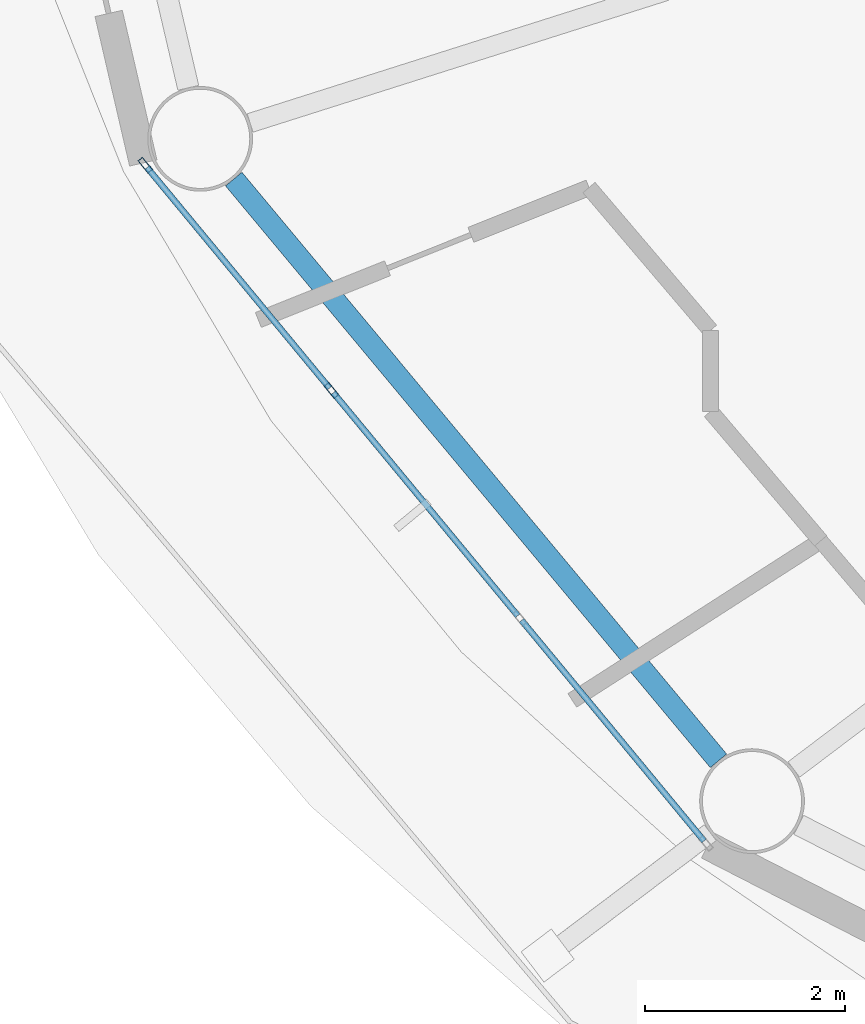
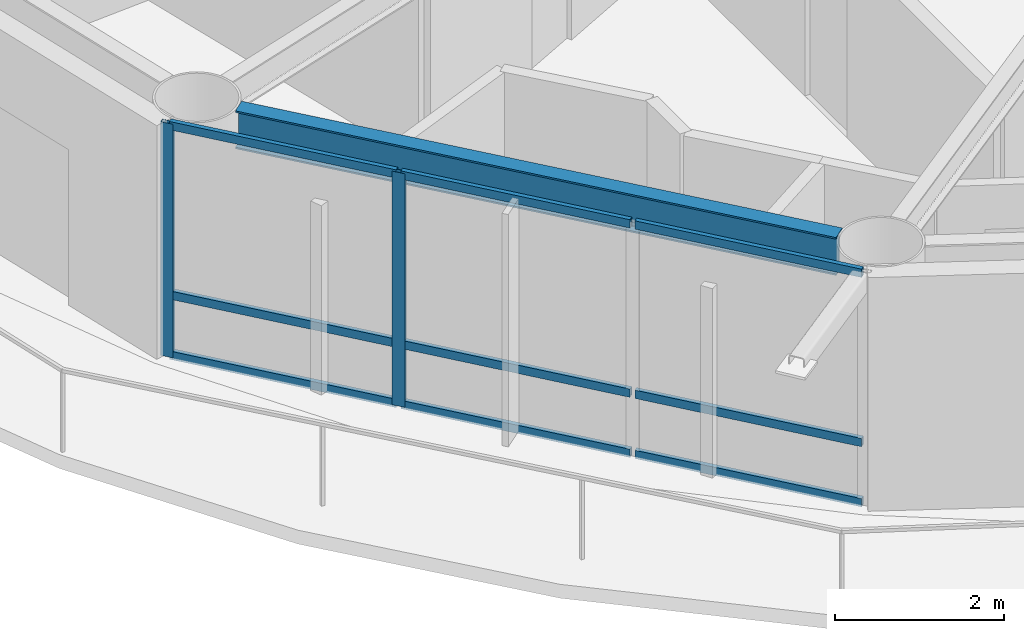
# One storey, part 3 of 30: 11 members, 1 beam, 1 element without a shape of its own.
"""IFC4 building model written with IfcOpenShell, lengths in metres."""

from ifc_helpers import new_model, si_unit, direction, frame, origin, origin_2d, place, context, subcontext, project, spatial, hollow_rectangle, i_section, extrude, material, layer, layer_set, material_profile, profile_set, type_object, element, aggregate, save


model = new_model("IFC4")

# Units and contexts
model_context = context("Model", 3, precision=1e-05, world=origin(), true_north=direction((0.0, 1.0)))
body_context = subcontext(model_context, "Body", "Model", "MODEL_VIEW")
ifc_project = project(units=[si_unit("LENGTHUNIT", "METRE"), si_unit("AREAUNIT", "SQUARE_METRE"), si_unit("VOLUMEUNIT", "CUBIC_METRE"), si_unit("PLANEANGLEUNIT", "RADIAN"), si_unit("MASSUNIT", "GRAM", prefix="KILO")], contexts=[model_context])

# Site, building, storey
site_placement = place(None, origin())
site = spatial("IfcSite", under=ifc_project, at=site_placement, CompositionType="ELEMENT")
building_placement = place(site_placement, origin())
building = spatial("IfcBuilding", under=site, at=building_placement, Name="Sarneth Arch Tower", CompositionType="ELEMENT")
storey_placement = place(building_placement, frame((0.0, 0.0, 168.60009765625)))
storey = spatial("IfcBuildingStorey", under=building, at=storey_placement, Name="L42", CompositionType="ELEMENT", Elevation=168.60009765625)

# Beam
ifc_material_1 = material(Name="Steel S355", Category="steel")
ifc_material_profile_1 = material_profile(ifc_material_1, i_section(OverallWidth=0.214111328125, OverallDepth=0.549072265625, WebThickness=0.0146484375, FlangeThickness=0.023681640625, FilletRadius=0.01806640625, at=origin_2d()), Name="W530x138")
ifc_profile_set_1 = profile_set([ifc_material_profile_1], Name="Steel S355")
beam_type = type_object("IfcBeamType", Name="BM-RAD-530A", PredefinedType="BEAM", material=ifc_profile_set_1)
beam_placement = place(storey_placement, frame((23.673828125, 33.770751953125, 3.10546875), z_axis=(0.640171737024, -0.768231831621, 0.0), x_axis=(0.768231831621, 0.640171737024, 0.0)))
element("IfcBeam", 1, at=beam_placement, inside=storey, type_object=beam_type, Name="L42 Perimeter spandrel beam 10", PredefinedType="BEAM", context=body_context, shape_type="SweptSolid", body=[
    extrude(i_section(OverallWidth=0.214111328125, OverallDepth=0.549072265625, WebThickness=0.0146484375, FlangeThickness=0.023681640625, FilletRadius=0.01806640625, at=origin_2d()), origin(), (0.0, 0.0, 1.0), 7.585693359375),
])

# Curtain wall, members
ifc_material_2 = material(Name="Anodised aluminium Type AA25 and solar-control low-e laminated IGU", Category="aluminium")
ifc_layer = layer(ifc_material_2, 0.169921875)
ifc_layer_set = layer_set([ifc_layer], Name="Anodised aluminium Type AA25 and solar-control low-e laminated IGU")
curtain_wall_type = type_object("IfcCurtainWallType", Name="CW-RES-MID", PredefinedType="NOTDEFINED", material=ifc_layer_set)
curtain_wall_placement = place(storey_placement, origin())
curtain_wall = element("IfcCurtainWall", 2, at=curtain_wall_placement, inside=storey, type_object=curtain_wall_type, Name="L42 Unitised curtain wall facet 10", PredefinedType="NOTDEFINED")
ifc_material_3 = material(Name="Anodised Aluminium 6063-T6", Category="aluminium")
ifc_material_profile_2 = material_profile(ifc_material_3, hollow_rectangle(XDim=0.06005859375, YDim=0.159912109375, WallThickness=0.00390625, at=origin_2d()), Name="AL-MULL-160x60x4")
ifc_profile_set_2 = profile_set([ifc_material_profile_2], Name="Anodised Aluminium 6063-T6")
member_type_1 = type_object("IfcMemberType", Name="CW-MULLION", PredefinedType="MULLION", material=ifc_profile_set_2)
member_1_placement = place(storey_placement, frame((22.786865234375, 33.909912109375, 0.0), z_axis=(0.0, 0.0, 1.0), x_axis=(0.770590741276, 0.637330298558, 0.0)))
member_1 = element("IfcMember", 3, at=member_1_placement, type_object=member_type_1, Name="CW-SYS-5 mullion 1", PredefinedType="MULLION", context=body_context, shape_type="SweptSolid", body=[
    extrude(hollow_rectangle(XDim=0.06005859375, YDim=0.159912109375, WallThickness=0.00390625, at=origin_2d()), origin(), (0.0, 0.0, 1.0), 3.3798828125),
])
member_2_placement = place(storey_placement, frame((24.653076171875, 31.6533203125, 0.0), z_axis=(0.0, 0.0, 1.0), x_axis=(0.770590741276, 0.637330298558, 0.0)))
member_2 = element("IfcMember", 4, at=member_2_placement, type_object=member_type_1, Name="CW-SYS-5 mullion 2", PredefinedType="MULLION", context=body_context, shape_type="SweptSolid", body=[
    extrude(hollow_rectangle(XDim=0.06005859375, YDim=0.159912109375, WallThickness=0.00390625, at=origin_2d()), origin(), (0.0, 0.0, 1.0), 3.3798828125),
])
ifc_material_4 = material(Name="Anodised Aluminium 6063-T6", Category="aluminium")
ifc_material_profile_3 = material_profile(ifc_material_4, hollow_rectangle(XDim=0.06005859375, YDim=0.1201171875, WallThickness=0.00390625, at=origin_2d()), Name="AL-TRAN-120x60x4")
ifc_profile_set_3 = profile_set([ifc_material_profile_3], Name="Anodised Aluminium 6063-T6")
member_type_2 = type_object("IfcMemberType", Name="CW-TRANSOM", PredefinedType="USERDEFINED", material=ifc_profile_set_3)
member_3_placement = place(storey_placement, frame((22.805908203125, 33.88671875, 0.02978515625), z_axis=(0.637358651504, -0.770567290607, 0.0), x_axis=(0.770567290607, 0.637358651504, 0.0)))
member_3 = element("IfcMember", 5, at=member_3_placement, type_object=member_type_2, Name="CW-SYS-5 transom 1.1", ObjectType="TRANSOM", PredefinedType="USERDEFINED", context=body_context, shape_type="SweptSolid", body=[
    extrude(hollow_rectangle(XDim=0.06005859375, YDim=0.1201171875, WallThickness=0.00390625, at=origin_2d()), origin(), (0.0, 0.0, 1.0), 2.8681640625),
])
member_4_placement = place(storey_placement, frame((22.805908203125, 33.88671875, 0.89990234375), z_axis=(0.637358651504, -0.770567290607, 0.0), x_axis=(0.770567290607, 0.637358651504, 0.0)))
member_4 = element("IfcMember", 6, at=member_4_placement, type_object=member_type_2, Name="CW-SYS-5 transom 1.2", ObjectType="TRANSOM", PredefinedType="USERDEFINED", context=body_context, shape_type="SweptSolid", body=[
    extrude(hollow_rectangle(XDim=0.06005859375, YDim=0.1201171875, WallThickness=0.00390625, at=origin_2d()), origin(), (0.0, 0.0, 1.0), 2.8681640625),
])
member_5_placement = place(storey_placement, frame((22.805908203125, 33.88671875, 3.349853515625), z_axis=(0.637358651504, -0.770567290607, 0.0), x_axis=(0.770567290607, 0.637358651504, 0.0)))
member_5 = element("IfcMember", 7, at=member_5_placement, type_object=member_type_2, Name="CW-SYS-5 transom 1.3", ObjectType="TRANSOM", PredefinedType="USERDEFINED", context=body_context, shape_type="SweptSolid", body=[
    extrude(hollow_rectangle(XDim=0.06005859375, YDim=0.1201171875, WallThickness=0.00390625, at=origin_2d()), origin(), (0.0, 0.0, 1.0), 2.8681640625),
])
member_6_placement = place(storey_placement, frame((24.672119140625, 31.63037109375, 0.02978515625), z_axis=(0.637329777791, -0.770591171985, 0.0), x_axis=(0.770591171985, 0.637329777791, 0.0)))
member_6 = element("IfcMember", 8, at=member_6_placement, type_object=member_type_2, Name="CW-SYS-5 transom 2.1", ObjectType="TRANSOM", PredefinedType="USERDEFINED", context=body_context, shape_type="SweptSolid", body=[
    extrude(hollow_rectangle(XDim=0.06005859375, YDim=0.1201171875, WallThickness=0.00390625, at=origin_2d()), origin(), (0.0, 0.0, 1.0), 2.898193359375),
])
member_7_placement = place(storey_placement, frame((24.672119140625, 31.63037109375, 0.89990234375), z_axis=(0.637329777791, -0.770591171985, 0.0), x_axis=(0.770591171985, 0.637329777791, 0.0)))
member_7 = element("IfcMember", 9, at=member_7_placement, type_object=member_type_2, Name="CW-SYS-5 transom 2.2", ObjectType="TRANSOM", PredefinedType="USERDEFINED", context=body_context, shape_type="SweptSolid", body=[
    extrude(hollow_rectangle(XDim=0.06005859375, YDim=0.1201171875, WallThickness=0.00390625, at=origin_2d()), origin(), (0.0, 0.0, 1.0), 2.898193359375),
])
member_8_placement = place(storey_placement, frame((24.672119140625, 31.63037109375, 3.349853515625), z_axis=(0.637329777791, -0.770591171985, 0.0), x_axis=(0.770591171985, 0.637329777791, 0.0)))
member_8 = element("IfcMember", 10, at=member_8_placement, type_object=member_type_2, Name="CW-SYS-5 transom 2.3", ObjectType="TRANSOM", PredefinedType="USERDEFINED", context=body_context, shape_type="SweptSolid", body=[
    extrude(hollow_rectangle(XDim=0.06005859375, YDim=0.1201171875, WallThickness=0.00390625, at=origin_2d()), origin(), (0.0, 0.0, 1.0), 2.898193359375),
])
member_9_placement = place(storey_placement, frame((26.5576171875, 29.3505859375, 0.02978515625), z_axis=(0.637358651504, -0.770567290607, 0.0), x_axis=(0.770567290607, 0.637358651504, 0.0)))
member_9 = element("IfcMember", 11, at=member_9_placement, type_object=member_type_2, Name="CW-SYS-5 transom 3.1", ObjectType="TRANSOM", PredefinedType="USERDEFINED", context=body_context, shape_type="SweptSolid", body=[
    extrude(hollow_rectangle(XDim=0.06005859375, YDim=0.1201171875, WallThickness=0.00390625, at=origin_2d()), origin(), (0.0, 0.0, 1.0), 2.8681640625),
])
member_10_placement = place(storey_placement, frame((26.5576171875, 29.3505859375, 0.89990234375), z_axis=(0.637358651504, -0.770567290607, 0.0), x_axis=(0.770567290607, 0.637358651504, 0.0)))
member_10 = element("IfcMember", 12, at=member_10_placement, type_object=member_type_2, Name="CW-SYS-5 transom 3.2", ObjectType="TRANSOM", PredefinedType="USERDEFINED", context=body_context, shape_type="SweptSolid", body=[
    extrude(hollow_rectangle(XDim=0.06005859375, YDim=0.1201171875, WallThickness=0.00390625, at=origin_2d()), origin(), (0.0, 0.0, 1.0), 2.8681640625),
])
member_11_placement = place(storey_placement, frame((26.5576171875, 29.3505859375, 3.349853515625), z_axis=(0.637358651504, -0.770567290607, 0.0), x_axis=(0.770567290607, 0.637358651504, 0.0)))
member_11 = element("IfcMember", 13, at=member_11_placement, type_object=member_type_2, Name="CW-SYS-5 transom 3.3", ObjectType="TRANSOM", PredefinedType="USERDEFINED", context=body_context, shape_type="SweptSolid", body=[
    extrude(hollow_rectangle(XDim=0.06005859375, YDim=0.1201171875, WallThickness=0.00390625, at=origin_2d()), origin(), (0.0, 0.0, 1.0), 2.8681640625),
])
aggregate(curtain_wall, [member_1, member_2, member_3, member_4, member_5, member_6, member_7, member_8, member_9, member_10, member_11])

save(model, "model.ifc")
